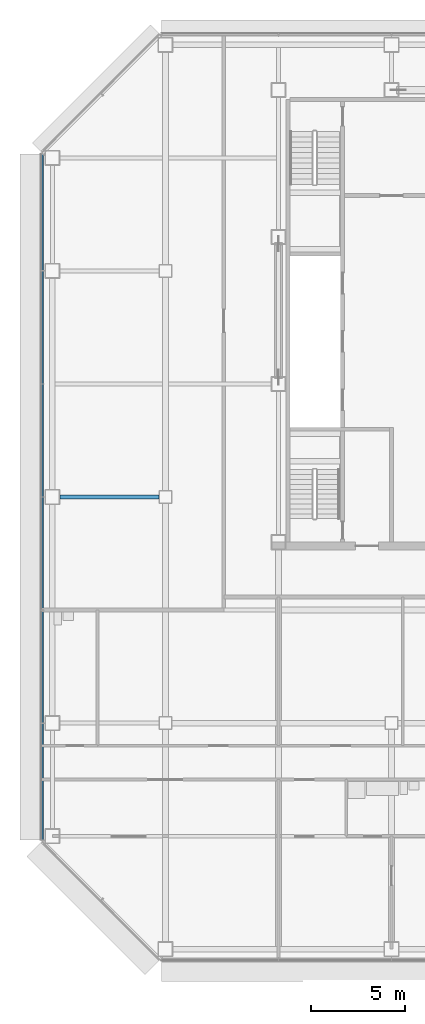
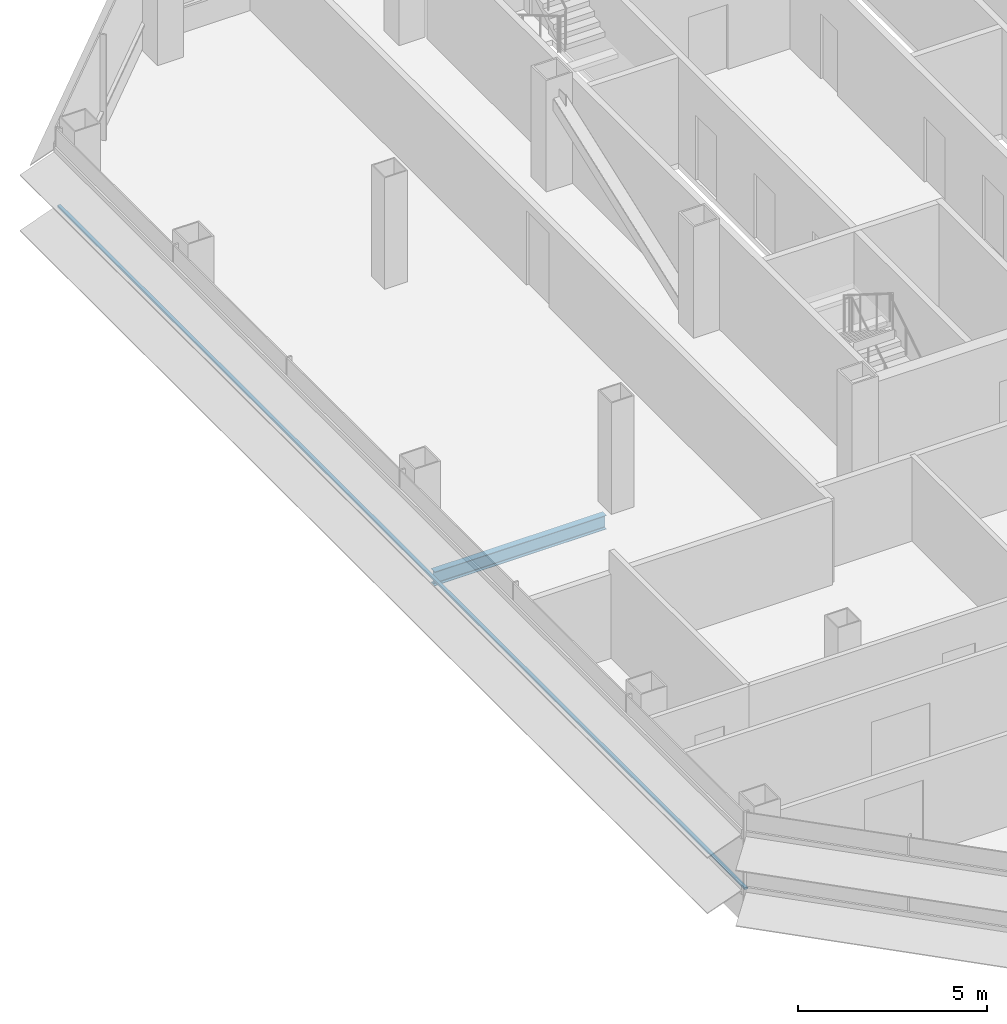
# One storey, part 5 of 25: 1 beam, 1 member, 1 element without a shape of its own.
"""IFC4 building model written with IfcOpenShell, lengths in metres."""

from ifc_helpers import new_model, si_unit, direction, frame, origin, origin_2d, place, context, subcontext, project, spatial, rectangle, i_section, extrude, material, material_profile, profile_set, type_object, element, aggregate, save


model = new_model("IFC4")

# Units and contexts
model_context = context("Model", 3, precision=1e-05, world=origin(), true_north=direction((0.0, 1.0)))
body_context = subcontext(model_context, "Body", "Model", "MODEL_VIEW")
ifc_project = project(units=[si_unit("LENGTHUNIT", "METRE"), si_unit("AREAUNIT", "SQUARE_METRE"), si_unit("VOLUMEUNIT", "CUBIC_METRE"), si_unit("PLANEANGLEUNIT", "RADIAN"), si_unit("MASSUNIT", "GRAM", prefix="KILO")], contexts=[model_context])

# Site, building, storey
site_placement = place(None, origin())
site = spatial("IfcSite", under=ifc_project, at=site_placement, CompositionType="ELEMENT")
building_placement = place(site_placement, origin())
building = spatial("IfcBuilding", under=site, at=building_placement, Name="Sorahane Residences", CompositionType="ELEMENT")
storey_placement = place(building_placement, frame((0.0, 0.0, 119.60009765625)))
storey = spatial("IfcBuildingStorey", under=building, at=storey_placement, Name="L26", CompositionType="ELEMENT", Elevation=119.60009765625)

# Curtain wall, member
ifc_material_1 = material(Name="Dark low-e glass and black anodised aluminium", Category="aluminium")
curtain_wall_type = type_object("IfcCurtainWallType", Name="Curtain wall CW-1 Typical unitised wall", PredefinedType="NOTDEFINED", material=ifc_material_1)
curtain_wall_placement = place(storey_placement, origin())
curtain_wall = element("IfcCurtainWall", 1, at=curtain_wall_placement, inside=storey, type_object=curtain_wall_type, Name="CW-1 curtain wall L26 W1", PredefinedType="NOTDEFINED")
ifc_material_2 = material(Name="Black anodised aluminium", Category="aluminium")
ifc_material_profile_1 = material_profile(ifc_material_2, rectangle(XDim=0.10009765625, YDim=0.06005859375, at=origin_2d()), Name="Curtain wall transom CW-1 black anodised aluminium 60x100")
ifc_profile_set_1 = profile_set([ifc_material_profile_1], Name="Black anodised aluminium")
member_type = type_object("IfcMemberType", Name="Curtain wall transom CW-1 black anodised aluminium 60x100", PredefinedType="USERDEFINED", material=ifc_profile_set_1)
member_placement = place(storey_placement, frame((-6.530029296875, 42.198486328125, 0.89990234375), z_axis=(0.0, -1.0, 0.0), x_axis=(1.0, 0.0, 0.0)))
member = element("IfcMember", 2, at=member_placement, type_object=member_type, Name="CW-1 transom L26 W1", ObjectType="TRANSOM", PredefinedType="USERDEFINED", context=body_context, shape_type="SweptSolid", body=[
    extrude(rectangle(XDim=0.10009765625, YDim=0.06005859375, at=origin_2d()), origin(), (0.0, 0.0, 1.0), 36.39697265625),
])
aggregate(curtain_wall, [member])

# Beam
ifc_material_3 = material(Name="Steel Q355B", Category="steel")
ifc_material_profile_2 = material_profile(ifc_material_3, i_section(OverallWidth=0.199951171875, OverallDepth=0.449951171875, WebThickness=0.009033203125, FlangeThickness=0.013916015625, FilletRadius=0.02001953125, at=origin_2d()), Name="HN 450x200x9x14")
ifc_profile_set_2 = profile_set([ifc_material_profile_2], Name="Steel Q355B")
beam_type = type_object("IfcBeamType", Name="Steel floor beam HN 450x200x9x14 Q355B", PredefinedType="BEAM", material=ifc_profile_set_2)
beam_placement = place(storey_placement, frame((-5.60009765625, 24.0, -0.405029296875), z_axis=(1.0, 0.0, 0.0), x_axis=(0.0, 1.0, 0.0)))
element("IfcBeam", 3, at=beam_placement, inside=storey, type_object=beam_type, Name="Beam L26 011", PredefinedType="BEAM", context=body_context, shape_type="SweptSolid", body=[
    extrude(i_section(OverallWidth=0.199951171875, OverallDepth=0.449951171875, WebThickness=0.009033203125, FlangeThickness=0.013916015625, FilletRadius=0.02001953125, at=origin_2d()), origin(), (0.0, 0.0, 1.0), 5.25),
])

save(model, "model.ifc")
